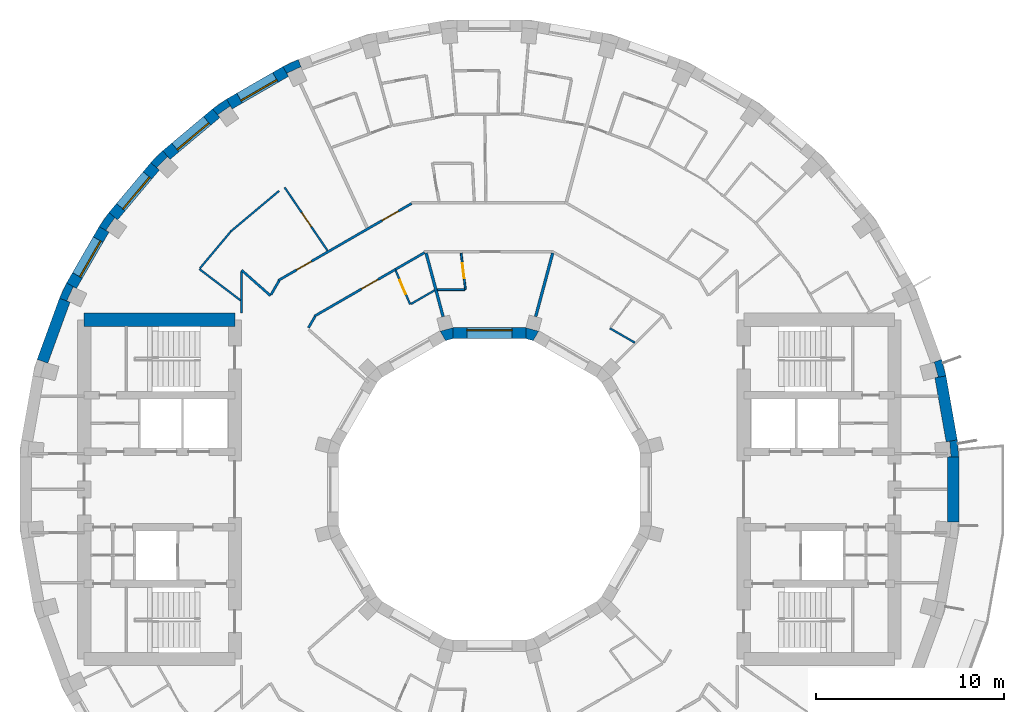
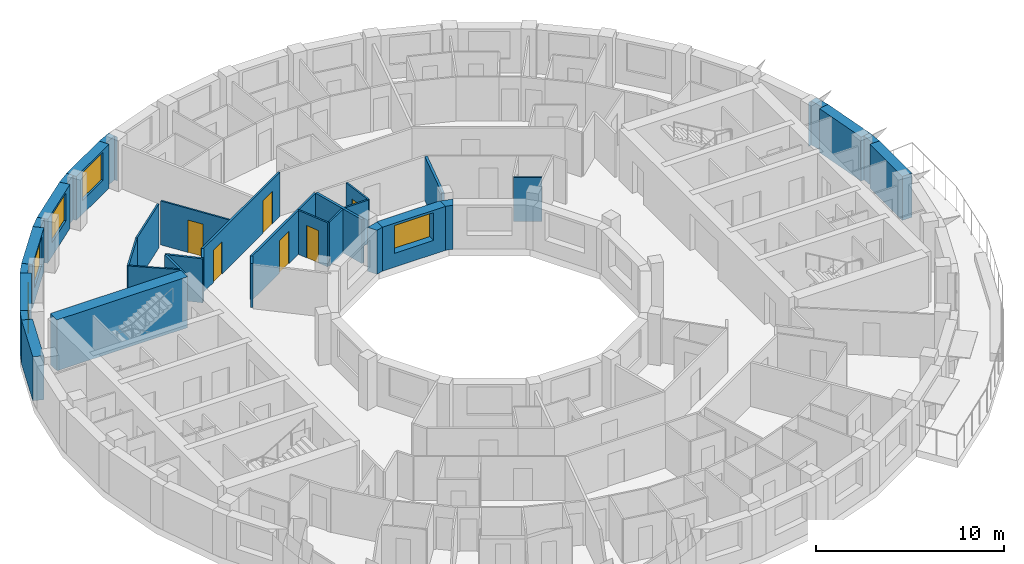
# One storey, part 10 of 14: 36 walls, 6 doors, 5 windows, 11 openings.
"""IFC4 building model written with IfcOpenShell, lengths in metres."""

from ifc_helpers import new_model, si_unit, direction, frame, frame_2d, origin, place, context, subcontext, project, spatial, polyline, rectangle, outline, extrude, material, layer, layer_set, type_object, element, fill, save


model = new_model("IFC4")

# Units and contexts
model_context = context("Model", 3, precision=1e-05, world=origin(), true_north=direction((0.0, 1.0)))
body_context = subcontext(model_context, "Body", "Model", "MODEL_VIEW")
ifc_project = project(units=[si_unit("LENGTHUNIT", "METRE"), si_unit("AREAUNIT", "SQUARE_METRE"), si_unit("VOLUMEUNIT", "CUBIC_METRE"), si_unit("PLANEANGLEUNIT", "RADIAN"), si_unit("MASSUNIT", "GRAM", prefix="KILO")], contexts=[model_context])

# Site, building, storey
site_placement = place(None, origin())
site = spatial("IfcSite", under=ifc_project, at=site_placement, CompositionType="ELEMENT")
building_placement = place(site_placement, origin())
building = spatial("IfcBuilding", under=site, at=building_placement, Name="Saqina Gate Tower", CompositionType="ELEMENT")
storey_placement = place(building_placement, frame((0.0, 0.0, 177.300048828125)))
storey = spatial("IfcBuildingStorey", under=building, at=storey_placement, Name="L50", CompositionType="ELEMENT", Elevation=177.300048828125)

# Walls
ifc_material_1 = material(Name="Brick masonry (buff)", Category="masonry")
wall_type_1 = type_object("IfcWallType", Name="BRICK PIER COPING BUFF", PredefinedType="SOLIDWALL", material=ifc_material_1)
wall_1_placement = place(storey_placement, origin())
element("IfcWall", 1, at=wall_1_placement, inside=storey, type_object=wall_type_1, Name="Pier cap L50 column 1", PredefinedType="SOLIDWALL", context=body_context, shape_type="SweptSolid", body=[
    extrude(outline(polyline([(24.90478515625, 1.724853515625), (24.825927734375, 2.6259765625), (24.235107421875, 2.521728515625), (24.421630859375, 2.5380859375), (24.491455078125, 1.7412109375), (24.304931640625, 1.724853515625), (24.90478515625, 1.724853515625)])), origin(), (0.0, 0.0, 1.0), 2.849853515625),
])
wall_2_placement = place(storey_placement, origin())
element("IfcWall", 2, at=wall_2_placement, inside=storey, type_object=wall_type_1, Name="Pier cap L50 column 2", PredefinedType="SOLIDWALL", context=body_context, shape_type="SweptSolid", body=[
    extrude(outline(polyline([(24.22705078125, 6.0234375), (23.992919921875, 6.897216796875), (23.428955078125, 6.69189453125), (23.610107421875, 6.740478515625), (23.81689453125, 5.967529296875), (23.635986328125, 5.919189453125), (24.22705078125, 6.0234375)])), origin(), (0.0, 0.0, 1.0), 2.849853515625),
])
wall_3_placement = place(storey_placement, origin())
element("IfcWall", 3, at=wall_3_placement, inside=storey, type_object=wall_type_1, Name="Pier cap L50 column 12", PredefinedType="SOLIDWALL", context=body_context, shape_type="SweptSolid", body=[
    extrude(outline(polyline([(-10.958740234375, 22.4306640625), (-10.65869140625, 21.9111328125), (-10.73779296875, 22.080810546875), (-10.0126953125, 22.4189453125), (-9.93359375, 22.249267578125), (-10.138916015625, 22.81298828125), (-10.958740234375, 22.4306640625)])), origin(), (0.0, 0.0, 1.0), 2.849853515625),
])
wall_4_placement = place(storey_placement, origin())
element("IfcWall", 4, at=wall_4_placement, inside=storey, type_object=wall_type_1, Name="Pier cap L50 column 13", PredefinedType="SOLIDWALL", context=body_context, shape_type="SweptSolid", body=[
    extrude(outline(polyline([(-13.9462890625, 20.705810546875), (-14.687255859375, 20.18701171875), (-14.301513671875, 19.727294921875), (-14.408935546875, 19.880859375), (-13.753662109375, 20.339599609375), (-13.646240234375, 20.186279296875), (-13.9462890625, 20.705810546875)])), origin(), (0.0, 0.0, 1.0), 2.849853515625),
])
wall_5_placement = place(storey_placement, origin())
element("IfcWall", 5, at=wall_5_placement, inside=storey, type_object=wall_type_1, Name="Pier cap L50 column 14", PredefinedType="SOLIDWALL", context=body_context, shape_type="SweptSolid", body=[
    extrude(outline(polyline([(-17.969482421875, 17.329833984375), (-17.510009765625, 16.944091796875), (-17.642333984375, 17.07666015625), (-17.07666015625, 17.642333984375), (-16.944091796875, 17.510009765625), (-17.329833984375, 17.969482421875), (-17.969482421875, 17.329833984375)])), origin(), (0.0, 0.0, 1.0), 2.849853515625),
])
wall_6_placement = place(storey_placement, origin())
element("IfcWall", 6, at=wall_6_placement, inside=storey, type_object=wall_type_1, Name="Pier cap L50 column 15", PredefinedType="SOLIDWALL", context=body_context, shape_type="SweptSolid", body=[
    extrude(outline(polyline([(-20.18701171875, 14.687255859375), (-20.705810546875, 13.9462890625), (-20.186279296875, 13.646240234375), (-20.339599609375, 13.753662109375), (-19.880859375, 14.408935546875), (-19.727294921875, 14.301513671875), (-20.18701171875, 14.687255859375)])), origin(), (0.0, 0.0, 1.0), 2.849853515625),
])
wall_7_placement = place(storey_placement, origin())
element("IfcWall", 7, at=wall_7_placement, inside=storey, type_object=wall_type_1, Name="Pier cap L50 column 16", PredefinedType="SOLIDWALL", context=body_context, shape_type="SweptSolid", body=[
    extrude(outline(polyline([(-22.81298828125, 10.138916015625), (-22.249267578125, 9.93359375), (-22.4189453125, 10.0126953125), (-22.080810546875, 10.73779296875), (-21.9111328125, 10.65869140625), (-22.4306640625, 10.958740234375), (-22.81298828125, 10.138916015625)])), origin(), (0.0, 0.0, 1.0), 2.849853515625),
])

# Wall, opening, window
ifc_material_2 = material(Name="Brick masonry (buff)", Category="masonry")
ifc_layer_1 = layer(ifc_material_2, 0.60009765625)
ifc_layer_set_1 = layer_set([ifc_layer_1], Name="FW-BRICK-BUFF")
wall_type_2 = type_object("IfcWallType", Name="FW-BRICK-BUFF", PredefinedType="SOLIDWALL", material=ifc_layer_set_1)
wall_8_placement = place(storey_placement, frame((-10.80859375, 22.1708984375, 0.0), z_axis=(0.0, 0.0, 1.0), x_axis=(-0.86602648383, -0.499998129301, 0.0)))
wall_8 = element("IfcWall", 8, at=wall_8_placement, inside=storey, type_object=wall_type_2, Name="Facade wall L50 facet 12", PredefinedType="SOLIDWALL", context=body_context, shape_type="SweptSolid", body=[
    extrude(rectangle(XDim=3.44970703125, YDim=0.60009765625, at=frame_2d((1.724853515625, 0.0))), origin(), (0.0, 0.0, 1.0), 2.849853515625),
])
opening_1_placement = place(wall_8_placement, frame((0.625, 0.0, 0.89990234375)))
opening_1 = element("IfcOpeningElement", 9, at=opening_1_placement, cuts=wall_8, Name="Opening G14-W10", PredefinedType="OPENING", context=body_context, shape_type="SweptSolid", body=[
    extrude(rectangle(XDim=2.199951171875, YDim=1.800048828125, at=frame_2d((1.10009765625, 0.89990234375))), frame((0.0, 0.31201171875, 0.0), z_axis=(0.0, -1.0, 0.0), x_axis=(1.0, 0.0, 0.0)), (0.0, 0.0, 1.0), 0.6240234375),
])
ifc_material_3 = material(Name="Aluminium glazing", Category="aluminium")
window_type_1 = type_object("IfcWindowType", Name="WN-C", PartitioningType="SINGLE_PANEL", PredefinedType="WINDOW", material=ifc_material_3)
window_1_placement = place(opening_1_placement, origin())
window_1 = element("IfcWindow", 10, at=window_1_placement, inside=storey, type_object=window_type_1, Name="Window L50 facet 12", OverallHeight=1.800048828125, OverallWidth=2.199951171875, PartitioningType="SINGLE_PANEL", PredefinedType="WINDOW", context=body_context, shape_type="SweptSolid", body=[
    extrude(rectangle(XDim=2.199951171875, YDim=1.800048828125, at=frame_2d((1.10009765625, 0.89990234375))), frame((0.0, 0.179931640625, 0.0), z_axis=(0.0, -1.0, 0.0), x_axis=(1.0, 0.0, 0.0)), (0.0, 0.0, 1.0), 0.06005859375),
])
fill(opening_1, window_1)

wall_9_placement = place(storey_placement, frame((-14.494384765625, 19.95703125, 0.0), z_axis=(0.0, 0.0, 1.0), x_axis=(-0.766058884809, -0.642770398358, 0.0)))
wall_9 = element("IfcWall", 11, at=wall_9_placement, inside=storey, type_object=wall_type_2, Name="Facade wall L50 facet 13", PredefinedType="SOLIDWALL", context=body_context, shape_type="SweptSolid", body=[
    extrude(rectangle(XDim=3.449462890625, YDim=0.60009765625, at=frame_2d((1.724609375, 0.0))), origin(), (0.0, 0.0, 1.0), 2.849853515625),
])
opening_2_placement = place(wall_9_placement, frame((0.625, 0.0, 0.89990234375)))
opening_2 = element("IfcOpeningElement", 12, at=opening_2_placement, cuts=wall_9, Name="Opening G14-W11", PredefinedType="OPENING", context=body_context, shape_type="SweptSolid", body=[
    extrude(rectangle(XDim=2.199951171875, YDim=1.800048828125, at=frame_2d((1.10009765625, 0.89990234375))), frame((0.0, 0.31201171875, 0.0), z_axis=(0.0, -1.0, 0.0), x_axis=(1.0, 0.0, 0.0)), (0.0, 0.0, 1.0), 0.6240234375),
])
window_2_placement = place(opening_2_placement, origin())
window_2 = element("IfcWindow", 13, at=window_2_placement, inside=storey, type_object=window_type_1, Name="Window L50 facet 13", OverallHeight=1.800048828125, OverallWidth=2.199951171875, PartitioningType="SINGLE_PANEL", PredefinedType="WINDOW", context=body_context, shape_type="SweptSolid", body=[
    extrude(rectangle(XDim=2.199951171875, YDim=1.800048828125, at=frame_2d((1.10009765625, 0.89990234375))), frame((0.0, 0.179931640625, 0.0), z_axis=(0.0, -1.0, 0.0), x_axis=(1.0, 0.0, 0.0)), (0.0, 0.0, 1.0), 0.06005859375),
])
fill(opening_2, window_2)

wall_10_placement = place(storey_placement, frame((-17.73974609375, 17.136962890625, 0.0), z_axis=(0.0, 0.0, 1.0), x_axis=(-0.642770398358, -0.766058884809, 0.0)))
wall_10 = element("IfcWall", 14, at=wall_10_placement, inside=storey, type_object=wall_type_2, Name="Facade wall L50 facet 14", PredefinedType="SOLIDWALL", context=body_context, shape_type="SweptSolid", body=[
    extrude(rectangle(XDim=3.449462890625, YDim=0.60009765625, at=frame_2d((1.724609375, 0.0))), origin(), (0.0, 0.0, 1.0), 2.849853515625),
])
opening_3_placement = place(wall_10_placement, frame((0.625, 0.0, 0.89990234375)))
opening_3 = element("IfcOpeningElement", 15, at=opening_3_placement, cuts=wall_10, Name="Opening G14-W12", PredefinedType="OPENING", context=body_context, shape_type="SweptSolid", body=[
    extrude(rectangle(XDim=2.199951171875, YDim=1.800048828125, at=frame_2d((1.10009765625, 0.89990234375))), frame((0.0, 0.31201171875, 0.0), z_axis=(0.0, -1.0, 0.0), x_axis=(1.0, 0.0, 0.0)), (0.0, 0.0, 1.0), 0.6240234375),
])
window_3_placement = place(opening_3_placement, origin())
window_3 = element("IfcWindow", 16, at=window_3_placement, inside=storey, type_object=window_type_1, Name="Window L50 facet 14", OverallHeight=1.800048828125, OverallWidth=2.199951171875, PartitioningType="SINGLE_PANEL", PredefinedType="WINDOW", context=body_context, shape_type="SweptSolid", body=[
    extrude(rectangle(XDim=2.199951171875, YDim=1.800048828125, at=frame_2d((1.10009765625, 0.89990234375))), frame((0.0, 0.179931640625, 0.0), z_axis=(0.0, -1.0, 0.0), x_axis=(1.0, 0.0, 0.0)), (0.0, 0.0, 1.0), 0.06005859375),
])
fill(opening_3, window_3)

wall_11_placement = place(storey_placement, frame((-20.446044921875, 13.796142578125, 0.0), z_axis=(0.0, 0.0, 1.0), x_axis=(-0.499998129301, -0.86602648383, 0.0)))
wall_11 = element("IfcWall", 17, at=wall_11_placement, inside=storey, type_object=wall_type_2, Name="Facade wall L50 facet 15", PredefinedType="SOLIDWALL", context=body_context, shape_type="SweptSolid", body=[
    extrude(rectangle(XDim=3.44970703125, YDim=0.60009765625, at=frame_2d((1.724853515625, 0.0))), origin(), (0.0, 0.0, 1.0), 2.849853515625),
])
opening_4_placement = place(wall_11_placement, frame((0.625, 0.0, 0.89990234375)))
opening_4 = element("IfcOpeningElement", 18, at=opening_4_placement, cuts=wall_11, Name="Opening G14-W13", PredefinedType="OPENING", context=body_context, shape_type="SweptSolid", body=[
    extrude(rectangle(XDim=2.199951171875, YDim=1.800048828125, at=frame_2d((1.10009765625, 0.89990234375))), frame((0.0, 0.31201171875, 0.0), z_axis=(0.0, -1.0, 0.0), x_axis=(1.0, 0.0, 0.0)), (0.0, 0.0, 1.0), 0.6240234375),
])
window_4_placement = place(opening_4_placement, origin())
window_4 = element("IfcWindow", 19, at=window_4_placement, inside=storey, type_object=window_type_1, Name="Window L50 facet 15", OverallHeight=1.800048828125, OverallWidth=2.199951171875, PartitioningType="SINGLE_PANEL", PredefinedType="WINDOW", context=body_context, shape_type="SweptSolid", body=[
    extrude(rectangle(XDim=2.199951171875, YDim=1.800048828125, at=frame_2d((1.10009765625, 0.89990234375))), frame((0.0, 0.179931640625, 0.0), z_axis=(0.0, -1.0, 0.0), x_axis=(1.0, 0.0, 0.0)), (0.0, 0.0, 1.0), 0.06005859375),
])
fill(opening_4, window_4)

# Walls
ifc_material_4 = material(Name="Glazed ceramic tile", Category="ceramic")
ifc_layer_2 = layer(ifc_material_4, 0.60009765625)
ifc_layer_set_2 = layer_set([ifc_layer_2], Name="FW-TILE")
wall_type_3 = type_object("IfcWallType", Name="FW-TILE", PredefinedType="SOLIDWALL", material=ifc_layer_set_2)
wall_12_placement = place(storey_placement, frame((24.530517578125, 2.573974609375, 0.0), z_axis=(0.0, 0.0, 1.0), x_axis=(-0.173607684551, 0.984814892183, 0.0)))
element("IfcWall", 20, at=wall_12_placement, inside=storey, type_object=wall_type_3, Name="Facade wall L50 facet 1", PredefinedType="SOLIDWALL", context=body_context, shape_type="SweptSolid", body=[
    extrude(rectangle(XDim=3.44970703125, YDim=0.60009765625, at=frame_2d((1.724853515625, 0.0))), origin(), (0.0, 0.0, 1.0), 2.849853515625),
])
ifc_material_5 = material(Name="Glazed ceramic tile (dark blue)", Category="ceramic")
ifc_layer_3 = layer(ifc_material_5, 0.60009765625)
ifc_layer_set_3 = layer_set([ifc_layer_3], Name="FW-TILE-CB")
wall_type_4 = type_object("IfcWallType", Name="FW-TILE-CB", PredefinedType="SOLIDWALL", material=ifc_layer_set_3)
for number, where, z_axis, x_axis, name in (
    (21, (-22.531005859375, 10.0361328125, 0.0), (0.0, 0.0, 1.0), (-0.342032843455, -0.93968799822, 0.0), "Facade wall L50 facet 16"),
    (22, (24.60498046875, -1.724853515625, 0.0), (0.0, 0.0, 1.0), (0.0, 1.0, 0.0), "Facade wall L50 facet 36"),
):
    element("IfcWall", number, at=place(storey_placement, frame(where, z_axis=z_axis, x_axis=x_axis)), inside=storey, type_object=wall_type_4, Name=name, PredefinedType="SOLIDWALL", context=body_context, shape_type="SweptSolid", body=[
        extrude(rectangle(XDim=3.44970703125, YDim=0.60009765625, at=frame_2d((1.724853515625, 0.0))), origin(), (0.0, 0.0, 1.0), 2.849853515625),
    ])

# Wall, opening, window
ifc_material_6 = material(Name="Glazed ceramic tile", Category="ceramic")
ifc_layer_4 = layer(ifc_material_6, 0.60009765625)
ifc_layer_set_4 = layer_set([ifc_layer_4], Name="IW-TILE")
wall_type_5 = type_object("IfcWallType", Name="IW-TILE", PredefinedType="SOLIDWALL", material=ifc_layer_set_4)
wall_13_placement = place(storey_placement, frame((1.934814453125, 8.300048828125, 0.0), z_axis=(0.0, 0.0, 1.0), x_axis=(-1.0, 0.0, 0.0)))
wall_13 = element("IfcWall", 23, at=wall_13_placement, inside=storey, type_object=wall_type_5, Name="Well wall L50 facet 3", PredefinedType="SOLIDWALL", context=body_context, shape_type="SweptSolid", body=[
    extrude(rectangle(XDim=3.86962890625, YDim=0.60009765625, at=frame_2d((1.934814453125, 0.0))), origin(), (0.0, 0.0, 1.0), 2.849853515625),
])
opening_5_placement = place(wall_13_placement, frame((0.73486328125, 0.0, 0.89990234375)))
opening_5 = element("IfcOpeningElement", 24, at=opening_5_placement, cuts=wall_13, Name="Opening G14-W26", PredefinedType="OPENING", context=body_context, shape_type="SweptSolid", body=[
    extrude(rectangle(XDim=2.39990234375, YDim=1.800048828125, at=frame_2d((1.199951171875, 0.89990234375))), frame((0.0, 0.31201171875, 0.0), z_axis=(0.0, -1.0, 0.0), x_axis=(1.0, 0.0, 0.0)), (0.0, 0.0, 1.0), 0.6240234375),
])
ifc_material_7 = material(Name="Aluminium glazing", Category="aluminium")
window_type_2 = type_object("IfcWindowType", Name="WN-W", PartitioningType="SINGLE_PANEL", PredefinedType="WINDOW", material=ifc_material_7)
window_5_placement = place(opening_5_placement, origin())
window_5 = element("IfcWindow", 25, at=window_5_placement, inside=storey, type_object=window_type_2, Name="Well window L50 facet 3", OverallHeight=1.800048828125, OverallWidth=2.39990234375, PartitioningType="SINGLE_PANEL", PredefinedType="WINDOW", context=body_context, shape_type="SweptSolid", body=[
    extrude(rectangle(XDim=2.39990234375, YDim=1.800048828125, at=frame_2d((1.199951171875, 0.89990234375))), frame((0.0, -0.119873046875, 0.0), z_axis=(0.0, -1.0, 0.0), x_axis=(1.0, 0.0, 0.0)), (0.0, 0.0, 1.0), 0.06005859375),
])
fill(opening_5, window_5)

# Wall, opening, door
ifc_material_8 = material(Name="Gypsum board on steel studs, 100 mm", Category="steel")
ifc_layer_5 = layer(ifc_material_8, 0.10009765625)
ifc_layer_set_5 = layer_set([ifc_layer_5], Name="PARTITION 100")
wall_type_6 = type_object("IfcWallType", Name="PARTITION 100", PredefinedType="PARTITIONING", material=ifc_layer_set_5)
wall_14_placement = place(storey_placement, frame((-1.49853515625, 12.537841796875, 0.0), z_axis=(0.0, 0.0, 1.0), x_axis=(0.118597630283, -0.99294239616, 0.0)))
wall_14 = element("IfcWall", 26, at=wall_14_placement, inside=storey, type_object=wall_type_6, Name="PARTITION PW3-06", PredefinedType="PARTITIONING", context=body_context, shape_type="SweptSolid", body=[
    extrude(rectangle(XDim=1.951416015625, YDim=0.10009765625, at=frame_2d((0.9755859375, 0.0))), origin(), (0.0, 0.0, 1.0), 2.849853515625),
])
opening_6_placement = place(wall_14_placement, frame((0.544677734375, 0.0, 0.0)))
opening_6 = element("IfcOpeningElement", 27, at=opening_6_placement, cuts=wall_14, Name="Opening G14-D20", PredefinedType="OPENING", context=body_context, shape_type="SweptSolid", body=[
    extrude(rectangle(XDim=0.800048828125, YDim=2.10009765625, at=frame_2d((0.39990234375, 1.050048828125))), frame((0.0, 0.06201171875, 0.0), z_axis=(0.0, -1.0, 0.0), x_axis=(1.0, 0.0, 0.0)), (0.0, 0.0, 1.0), 0.1240234375),
])
ifc_material_9 = material(Name="Timber door leaf, 800 mm", Category="wood")
door_type_1 = type_object("IfcDoorType", Name="DOOR 800 TIMBER", OperationType="SINGLE_SWING_LEFT", PredefinedType="DOOR", material=ifc_material_9)
door_1_placement = place(opening_6_placement, origin())
door_1 = element("IfcDoor", 28, at=door_1_placement, inside=storey, type_object=door_type_1, Name="DOOR G14-D20", OperationType="SINGLE_SWING_LEFT", OverallHeight=2.10009765625, OverallWidth=0.800048828125, PredefinedType="DOOR", context=body_context, shape_type="SweptSolid", body=[
    extrude(rectangle(XDim=0.800048828125, YDim=2.10009765625, at=frame_2d((0.39990234375, 1.050048828125))), frame((0.0, 0.02490234375, 0.0), z_axis=(0.0, -1.0, 0.0), x_axis=(1.0, 0.0, 0.0)), (0.0, 0.0, 1.0), 0.050048828125),
])
fill(opening_6, door_1)

wall_15_placement = place(storey_placement, frame((-4.971435546875, 11.607421875, 0.0), z_axis=(0.0, 0.0, 1.0), x_axis=(0.393707969646, -0.919235570807, 0.0)))
wall_15 = element("IfcWall", 29, at=wall_15_placement, inside=storey, type_object=wall_type_6, Name="PARTITION PW3-17", PredefinedType="PARTITIONING", context=body_context, shape_type="SweptSolid", body=[
    extrude(rectangle(XDim=1.9521484375, YDim=0.10009765625, at=frame_2d((0.97607421875, 0.0))), origin(), (0.0, 0.0, 1.0), 2.849853515625),
])
opening_7_placement = place(wall_15_placement, frame((0.544677734375, 0.0, 0.0)))
opening_7 = element("IfcOpeningElement", 30, at=opening_7_placement, cuts=wall_15, Name="Opening G14-D27", PredefinedType="OPENING", context=body_context, shape_type="SweptSolid", body=[
    extrude(rectangle(XDim=0.800048828125, YDim=2.10009765625, at=frame_2d((0.39990234375, 1.050048828125))), frame((0.0, 0.06201171875, 0.0), z_axis=(0.0, -1.0, 0.0), x_axis=(1.0, 0.0, 0.0)), (0.0, 0.0, 1.0), 0.1240234375),
])
door_2_placement = place(opening_7_placement, frame((0.800048828125, 0.0, 0.0), z_axis=(0.0, 0.0, 1.0), x_axis=(-1.0, 0.0, 0.0)))
door_2 = element("IfcDoor", 31, at=door_2_placement, inside=storey, type_object=door_type_1, Name="DOOR G14-D27", OperationType="SINGLE_SWING_RIGHT", OverallHeight=2.10009765625, OverallWidth=0.800048828125, PredefinedType="DOOR", context=body_context, shape_type="SweptSolid", body=[
    extrude(rectangle(XDim=0.800048828125, YDim=2.10009765625, at=frame_2d((0.39990234375, 1.050048828125))), frame((0.0, 0.02490234375, 0.0), z_axis=(0.0, -1.0, 0.0), x_axis=(1.0, 0.0, 0.0)), (0.0, 0.0, 1.0), 0.050048828125),
])
fill(opening_7, door_2)

wall_16_placement = place(storey_placement, frame((-10.862060546875, 16.02001953125, 0.0), z_axis=(0.0, 0.0, 1.0), x_axis=(0.5612995905, -0.827612693054, 0.0)))
wall_16 = element("IfcWall", 32, at=wall_16_placement, inside=storey, type_object=wall_type_6, Name="PARTITION PW3-24", PredefinedType="PARTITIONING", context=body_context, shape_type="SweptSolid", body=[
    extrude(rectangle(XDim=4.052978515625, YDim=0.10009765625, at=frame_2d((2.0263671875, 0.0))), origin(), (0.0, 0.0, 1.0), 2.849853515625),
])
opening_8_placement = place(wall_16_placement, frame((1.607666015625, 0.0, 0.0)))
opening_8 = element("IfcOpeningElement", 33, at=opening_8_placement, cuts=wall_16, Name="Opening G14-D29", PredefinedType="OPENING", context=body_context, shape_type="SweptSolid", body=[
    extrude(rectangle(XDim=0.89990234375, YDim=2.10009765625, at=frame_2d((0.449951171875, 1.050048828125))), frame((0.0, 0.06201171875, 0.0), z_axis=(0.0, -1.0, 0.0), x_axis=(1.0, 0.0, 0.0)), (0.0, 0.0, 1.0), 0.1240234375),
])
ifc_material_10 = material(Name="Timber door leaf, 900 mm", Category="wood")
door_type_2 = type_object("IfcDoorType", Name="DOOR 900 TIMBER", OperationType="SINGLE_SWING_LEFT", PredefinedType="DOOR", material=ifc_material_10)
door_3_placement = place(opening_8_placement, origin())
door_3 = element("IfcDoor", 34, at=door_3_placement, inside=storey, type_object=door_type_2, Name="DOOR G14-D29", OperationType="SINGLE_SWING_RIGHT", OverallHeight=2.10009765625, OverallWidth=0.89990234375, PredefinedType="DOOR", context=body_context, shape_type="SweptSolid", body=[
    extrude(rectangle(XDim=0.89990234375, YDim=2.10009765625, at=frame_2d((0.449951171875, 1.050048828125))), frame((0.0, 0.02490234375, 0.0), z_axis=(0.0, -1.0, 0.0), x_axis=(1.0, 0.0, 0.0)), (0.0, 0.0, 1.0), 0.050048828125),
])
fill(opening_8, door_3)

# Walls
wall_17_placement = place(storey_placement, frame((-15.389892578125, 11.69091796875, 0.0), z_axis=(0.0, 0.0, 1.0), x_axis=(0.796245993269, -0.604972989647, 0.0)))
element("IfcWall", 35, at=wall_17_placement, inside=storey, type_object=wall_type_6, Name="PARTITION PW3-32", PredefinedType="PARTITIONING", context=body_context, shape_type="SweptSolid", body=[
    extrude(rectangle(XDim=2.750732421875, YDim=0.10009765625, at=frame_2d((1.37548828125, 0.0))), origin(), (0.0, 0.0, 1.0), 2.849853515625),
])
wall_18_placement = place(storey_placement, frame((6.39697265625, 8.5458984375, 0.0), z_axis=(0.0, 0.0, 1.0), x_axis=(0.866313615635, -0.499500469836, 0.0)))
element("IfcWall", 36, at=wall_18_placement, inside=storey, type_object=wall_type_6, Name="PARTITION PW3-39", PredefinedType="PARTITIONING", context=body_context, shape_type="SweptSolid", body=[
    extrude(rectangle(XDim=1.5234375, YDim=0.10009765625, at=frame_2d((0.76171875, 0.0))), origin(), (0.0, 0.0, 1.0), 2.849853515625),
])
wall_19_placement = place(storey_placement, frame((-2.764892578125, 10.60009765625, 0.0), z_axis=(0.0, 0.0, 1.0), x_axis=(1.0, 0.0, 0.0)))
element("IfcWall", 37, at=wall_19_placement, inside=storey, type_object=wall_type_6, Name="PARTITION PW3-54", PredefinedType="PARTITIONING", context=body_context, shape_type="SweptSolid", body=[
    extrude(rectangle(XDim=1.447998046875, YDim=0.10009765625, at=frame_2d((0.72412109375, 0.0))), origin(), (0.0, 0.0, 1.0), 2.849853515625),
])
wall_20_placement = place(storey_placement, frame((-4.15966796875, 9.837890625, 0.0), z_axis=(0.0, 0.0, 1.0), x_axis=(0.865952650684, 0.500125990899, 0.0)))
element("IfcWall", 38, at=wall_20_placement, inside=storey, type_object=wall_type_6, Name="PARTITION PW3-71", PredefinedType="PARTITIONING", context=body_context, shape_type="SweptSolid", body=[
    extrude(rectangle(XDim=1.448974609375, YDim=0.10009765625, at=frame_2d((0.724609375, 0.0))), origin(), (0.0, 0.0, 1.0), 2.849853515625),
])
wall_21_placement = place(storey_placement, frame((-13.741943359375, 13.67041015625, 0.0), z_axis=(0.0, 0.0, 1.0), x_axis=(0.766150226106, 0.642661521361, 0.0)))
element("IfcWall", 39, at=wall_21_placement, inside=storey, type_object=wall_type_6, Name="PARTITION PW3-77", PredefinedType="PARTITIONING", context=body_context, shape_type="SweptSolid", body=[
    extrude(rectangle(XDim=3.378662109375, YDim=0.10009765625, at=frame_2d((1.689453125, 0.0))), origin(), (0.0, 0.0, 1.0), 2.849853515625),
])
wall_22_placement = place(storey_placement, frame((-15.35693359375, 11.731201171875, 0.0), z_axis=(0.0, 0.0, 1.0), x_axis=(0.64263607703, 0.76617156858, 0.0)))
element("IfcWall", 40, at=wall_22_placement, inside=storey, type_object=wall_type_6, Name="PARTITION PW3-82", PredefinedType="PARTITIONING", context=body_context, shape_type="SweptSolid", body=[
    extrude(rectangle(XDim=2.523681640625, YDim=0.10009765625, at=frame_2d((1.26171875, 0.0))), origin(), (0.0, 0.0, 1.0), 2.849853515625),
])
ifc_material_11 = material(Name="Gypsum board on steel studs, 125 mm, fire rated", Category="steel")
ifc_layer_6 = layer(ifc_material_11, 0.125)
ifc_layer_set_6 = layer_set([ifc_layer_6], Name="PARTITION EI 30 125")
wall_type_7 = type_object("IfcWallType", Name="PARTITION EI 30 125", PredefinedType="PARTITIONING", material=ifc_layer_set_6)
wall_23_placement = place(storey_placement, frame((-13.14990234375, 11.634033203125, 0.0), z_axis=(0.0, 0.0, 1.0), x_axis=(0.74902616167, -0.662540420754, 0.0)))
element("IfcWall", 41, at=wall_23_placement, inside=storey, type_object=wall_type_7, Name="PARTITION PW1-10", PredefinedType="PARTITIONING", context=body_context, shape_type="SweptSolid", body=[
    extrude(rectangle(XDim=2.046630859375, YDim=0.125, at=frame_2d((1.0234375, 0.0))), origin(), (0.0, 0.0, 1.0), 2.849853515625),
])

# Wall, opening, door
wall_24_placement = place(storey_placement, frame((-9.28662109375, 9.18798828125, 0.0), z_axis=(0.0, 0.0, 1.0), x_axis=(0.866054867757, 0.499948963429, 0.0)))
wall_24 = element("IfcWall", 42, at=wall_24_placement, inside=storey, type_object=wall_type_7, Name="PARTITION PW1-39", PredefinedType="PARTITIONING", context=body_context, shape_type="SweptSolid", body=[
    extrude(rectangle(XDim=4.97607421875, YDim=0.125, at=frame_2d((2.488037109375, 0.0))), origin(), (0.0, 0.0, 1.0), 2.849853515625),
])
opening_9_placement = place(wall_24_placement, frame((2.897705078125, 0.0, 0.0)))
opening_9 = element("IfcOpeningElement", 43, at=opening_9_placement, cuts=wall_24, Name="Opening G14-D28", PredefinedType="OPENING", context=body_context, shape_type="SweptSolid", body=[
    extrude(rectangle(XDim=1.0, YDim=2.10009765625, at=frame_2d((0.5, 1.050048828125))), frame((0.0, 0.074462890625, 0.0), z_axis=(0.0, -1.0, 0.0), x_axis=(1.0, 0.0, 0.0)), (0.0, 0.0, 1.0), 0.14892578125),
])
ifc_material_12 = material(Name="Fire door leaf EI 30, 1000 mm")
door_type_3 = type_object("IfcDoorType", Name="DOOR 1000 EI 30", OperationType="SINGLE_SWING_LEFT", PredefinedType="DOOR", material=ifc_material_12)
door_4_placement = place(opening_9_placement, frame((1.0, 0.0, 0.0), z_axis=(0.0, 0.0, 1.0), x_axis=(-1.0, 0.0, 0.0)))
door_4 = element("IfcDoor", 44, at=door_4_placement, inside=storey, type_object=door_type_3, Name="DOOR G14-D28", OperationType="SINGLE_SWING_LEFT", OverallHeight=2.10009765625, OverallWidth=1.0, PredefinedType="DOOR", context=body_context, shape_type="SweptSolid", body=[
    extrude(rectangle(XDim=1.0, YDim=2.10009765625, at=frame_2d((0.5, 1.050048828125))), frame((0.0, 0.02490234375, 0.0), z_axis=(0.0, -1.0, 0.0), x_axis=(1.0, 0.0, 0.0)), (0.0, 0.0, 1.0), 0.050048828125),
])
fill(opening_9, door_4)

# Wall
wall_25_placement = place(storey_placement, frame((-4.97705078125, 11.67578125, 0.0), z_axis=(0.0, 0.0, 1.0), x_axis=(0.866066400931, 0.499928984136, 0.0)))
element("IfcWall", 45, at=wall_25_placement, inside=storey, type_object=wall_type_7, Name="PARTITION PW1-40", PredefinedType="PARTITIONING", context=body_context, shape_type="SweptSolid", body=[
    extrude(rectangle(XDim=1.773681640625, YDim=0.125, at=frame_2d((0.88671875, 0.0))), origin(), (0.0, 0.0, 1.0), 2.849853515625),
])

# Wall, openings, doors
wall_26_placement = place(storey_placement, frame((-11.189453125, 11.0908203125, 0.0), z_axis=(0.0, 0.0, 1.0), x_axis=(0.865999621737, 0.500044653157, 0.0)))
wall_26 = element("IfcWall", 46, at=wall_26_placement, inside=storey, type_object=wall_type_7, Name="PARTITION PW1-41", PredefinedType="PARTITIONING", context=body_context, shape_type="SweptSolid", body=[
    extrude(rectangle(XDim=8.155029296875, YDim=0.125, at=frame_2d((4.07763671875, 0.0))), origin(), (0.0, 0.0, 1.0), 2.849853515625),
])
opening_10_placement = place(wall_26_placement, frame((6.346435546875, 0.0, 0.0)))
opening_10 = element("IfcOpeningElement", 47, at=opening_10_placement, cuts=wall_26, Name="Opening G14-D25", PredefinedType="OPENING", context=body_context, shape_type="SweptSolid", body=[
    extrude(rectangle(XDim=1.0, YDim=2.10009765625, at=frame_2d((0.5, 1.050048828125))), frame((0.0, 0.074462890625, 0.0), z_axis=(0.0, -1.0, 0.0), x_axis=(1.0, 0.0, 0.0)), (0.0, 0.0, 1.0), 0.14892578125),
])
opening_11_placement = place(wall_26_placement, frame((1.10888671875, 0.0, 0.0)))
opening_11 = element("IfcOpeningElement", 48, at=opening_11_placement, cuts=wall_26, Name="Opening G14-D30", PredefinedType="OPENING", context=body_context, shape_type="SweptSolid", body=[
    extrude(rectangle(XDim=0.89990234375, YDim=2.10009765625, at=frame_2d((0.449951171875, 1.050048828125))), frame((0.0, 0.074462890625, 0.0), z_axis=(0.0, -1.0, 0.0), x_axis=(1.0, 0.0, 0.0)), (0.0, 0.0, 1.0), 0.14892578125),
])
door_5_placement = place(opening_10_placement, origin())
door_5 = element("IfcDoor", 49, at=door_5_placement, inside=storey, type_object=door_type_3, Name="DOOR G14-D25", OperationType="SINGLE_SWING_RIGHT", OverallHeight=2.10009765625, OverallWidth=1.0, PredefinedType="DOOR", context=body_context, shape_type="SweptSolid", body=[
    extrude(rectangle(XDim=1.0, YDim=2.10009765625, at=frame_2d((0.5, 1.050048828125))), frame((0.0, 0.02490234375, 0.0), z_axis=(0.0, -1.0, 0.0), x_axis=(1.0, 0.0, 0.0)), (0.0, 0.0, 1.0), 0.050048828125),
])
fill(opening_10, door_5)
ifc_material_13 = material(Name="Fire door leaf EI 30, 900 mm")
door_type_4 = type_object("IfcDoorType", Name="DOOR 900 EI 30", OperationType="SINGLE_SWING_LEFT", PredefinedType="DOOR", material=ifc_material_13)
door_6_placement = place(opening_11_placement, origin())
door_6 = element("IfcDoor", 50, at=door_6_placement, inside=storey, type_object=door_type_4, Name="DOOR G14-D30", OperationType="SINGLE_SWING_LEFT", OverallHeight=2.10009765625, OverallWidth=0.89990234375, PredefinedType="DOOR", context=body_context, shape_type="SweptSolid", body=[
    extrude(rectangle(XDim=0.89990234375, YDim=2.10009765625, at=frame_2d((0.449951171875, 1.050048828125))), frame((0.0, 0.02490234375, 0.0), z_axis=(0.0, -1.0, 0.0), x_axis=(1.0, 0.0, 0.0)), (0.0, 0.0, 1.0), 0.050048828125),
])
fill(opening_11, door_6)

# Walls
wall_27_placement = place(storey_placement, frame((-9.598876953125, 8.57421875, 0.0), z_axis=(0.0, 0.0, 1.0), x_axis=(0.499804398801, 0.866138304741, 0.0)))
element("IfcWall", 51, at=wall_27_placement, inside=storey, type_object=wall_type_7, Name="PARTITION PW1-47", PredefinedType="PARTITIONING", context=body_context, shape_type="SweptSolid", body=[
    extrude(rectangle(XDim=0.687744140625, YDim=0.125, at=frame_2d((0.34375, 0.0))), origin(), (0.0, 0.0, 1.0), 2.849853515625),
])
wall_28_placement = place(storey_placement, frame((-11.585693359375, 10.33203125, 0.0), z_axis=(0.0, 0.0, 1.0), x_axis=(0.499854250852, 0.866109535743, 0.0)))
element("IfcWall", 52, at=wall_28_placement, inside=storey, type_object=wall_type_7, Name="PARTITION PW1-48", PredefinedType="PARTITIONING", context=body_context, shape_type="SweptSolid", body=[
    extrude(rectangle(XDim=0.855224609375, YDim=0.125, at=frame_2d((0.427734375, 0.0))), origin(), (0.0, 0.0, 1.0), 2.849853515625),
])
wall_29_placement = place(storey_placement, frame((-13.14990234375, 9.35009765625, 0.0), z_axis=(0.0, 0.0, 1.0), x_axis=(0.0, 1.0, 0.0)))
element("IfcWall", 53, at=wall_29_placement, inside=storey, type_object=wall_type_7, Name="PARTITION PW1-52", PredefinedType="PARTITIONING", context=body_context, shape_type="SweptSolid", body=[
    extrude(rectangle(XDim=2.221435546875, YDim=0.125, at=frame_2d((1.11083984375, 0.0))), origin(), (0.0, 0.0, 1.0), 2.849853515625),
])
ifc_material_14 = material(Name="Gypsum board on steel studs, 150 mm, fire rated", Category="steel")
ifc_layer_7 = layer(ifc_material_14, 0.14990234375)
ifc_layer_set_7 = layer_set([ifc_layer_7], Name="PARTITION EI 60 150")
wall_type_8 = type_object("IfcWallType", Name="PARTITION EI 60 150", PredefinedType="PARTITIONING", material=ifc_layer_set_7)
for number, where, z_axis, x_axis, name in (
    (54, (-3.358642578125, 12.5400390625, 0.0), (0.0, 0.0, 1.0), (0.258289617132, -0.966067530601, 0.0), "PARTITION PW2-01"),
    (55, (2.45703125, 9.168701171875, 0.0), (0.0, 0.0, 1.0), (0.258716268746, 0.96595335927, 0.0), "PARTITION PW2-07"),
):
    element("IfcWall", number, at=place(storey_placement, frame(where, z_axis=z_axis, x_axis=x_axis)), inside=storey, type_object=wall_type_8, Name=name, PredefinedType="PARTITIONING", context=body_context, shape_type="SweptSolid", body=[
        extrude(rectangle(XDim=3.48974609375, YDim=0.14990234375, at=frame_2d((1.744873046875, 0.0))), origin(), (0.0, 0.0, 1.0), 2.849853515625),
    ])
ifc_material_15 = material(Name="Concrete C60/75", Category="concrete")
ifc_layer_8 = layer(ifc_material_15, 0.699951171875)
ifc_layer_set_8 = layer_set([ifc_layer_8], Name="Concrete C60/75")
wall_type_9 = type_object("IfcWallType", Name="STR-CORE WALL-C-O", PredefinedType="SHEAR", material=ifc_layer_set_8)
wall_30_placement = place(storey_placement, frame((-13.5, 9.0, 0.0), z_axis=(0.0, 0.0, 1.0), x_axis=(-1.0, 0.0, 0.0)))
element("IfcWall", 56, at=wall_30_placement, inside=storey, type_object=wall_type_9, Name="CORE WALL L50 W-NE", PredefinedType="SHEAR", context=body_context, shape_type="SweptSolid", body=[
    extrude(rectangle(XDim=8.0, YDim=0.699951171875, at=frame_2d((4.0, 0.0))), origin(), (0.0, 0.0, 1.0), 3.300048828125),
])
ifc_material_16 = material(Name="Glazed ceramic tile", Category="ceramic")
wall_type_10 = type_object("IfcWallType", Name="TILE PIER COPING", PredefinedType="SOLIDWALL", material=ifc_material_16)
wall_31_placement = place(storey_placement, origin())
element("IfcWall", 57, at=wall_31_placement, inside=storey, type_object=wall_type_10, Name="Well pier cap L50 column 3", PredefinedType="SOLIDWALL", context=body_context, shape_type="SweptSolid", body=[
    extrude(outline(polyline([(1.934814453125, 8.573486328125), (1.934814453125, 8.0), (2.32421875, 7.895751953125), (2.611083984375, 8.392333984375), (1.934814453125, 8.573486328125)])), origin(), (0.0, 0.0, 1.0), 2.849853515625),
])
wall_32_placement = place(storey_placement, origin())
element("IfcWall", 58, at=wall_32_placement, inside=storey, type_object=wall_type_10, Name="Well pier cap L50 column 4", PredefinedType="SOLIDWALL", context=body_context, shape_type="SweptSolid", body=[
    extrude(outline(polyline([(-1.934814453125, 8.0), (-1.934814453125, 8.573486328125), (-2.611083984375, 8.392333984375), (-2.32421875, 7.895751953125), (-1.934814453125, 8.0)])), origin(), (0.0, 0.0, 1.0), 2.849853515625),
])

save(model, "model.ifc")
